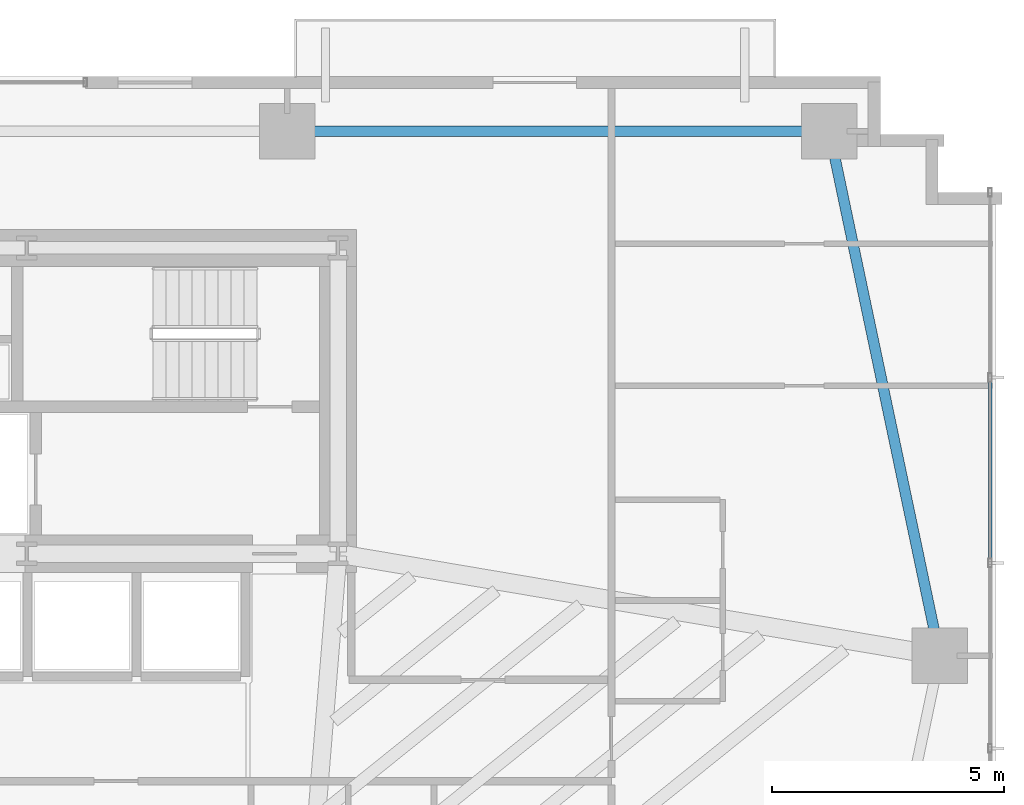
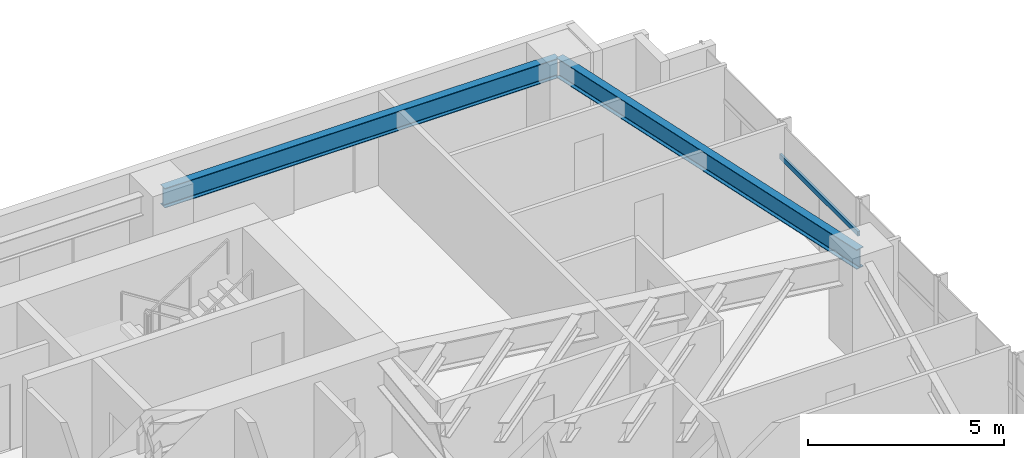
# One storey, part 16 of 25: 2 beams, 1 member, 1 element without a shape of its own.
"""IFC4 building model written with IfcOpenShell, lengths in metres."""

import ifcopenshell
import ifcopenshell.guid

model = None  # the IFC model being written
_history = None  # IfcOwnerHistory: only IFC2X3 demands one
_inside = {}  # id of a spatial element -> (the spatial element, [elements in it])
_under = {}  # id of a project, library or spatial element -> (it, [spatial elements below it])
_declared = {}  # id of a project -> (the project, [libraries it declares])
_typed = {}  # id of a type object -> (the type object, [elements of that type])
_made_of = {}  # id of a material, layer set ... -> (it, [elements and type objects made of it])


def new_model(schema):
    """Start an empty IFC model of exactly this schema.

    Asked for "IFC4X3", IfcOpenShell would pick the latest addendum, in which some entities
    have other attributes; the version numbers below select the first issue.
    IFC2X3 requires an IfcOwnerHistory on every rooted entity: one is made here for all.
    """
    global model, _history
    if schema == "IFC4X3":
        model = ifcopenshell.file(schema_version=(4, 3, 0, 0))
    else:
        model = ifcopenshell.file(schema=schema)
    _inside.clear()
    _under.clear()
    _declared.clear()
    _typed.clear()
    _made_of.clear()
    _history = None
    if model.schema == "IFC2X3":
        org = make("IfcOrganization", Name="unknown")
        user = make(
            "IfcPersonAndOrganization",
            ThePerson=make("IfcPerson", FamilyName="unknown"),
            TheOrganization=org,
        )
        app = make(
            "IfcApplication",
            ApplicationDeveloper=org,
            Version="unknown",
            ApplicationFullName="unknown",
            ApplicationIdentifier="unknown",
        )
        _history = make(
            "IfcOwnerHistory",
            OwningUser=user,
            OwningApplication=app,
            ChangeAction="ADDED",
            CreationDate=0,
        )
    return model


def make(cls, **values):
    """One entity of the class cls with the attributes given. An attribute that is None is left unset."""
    return model.create_entity(
        cls, **{name: value for name, value in values.items() if value is not None}
    )


def rooted(cls, **values):
    """An entity with a GlobalId (a new one), such as an element, a storey or a relation."""
    return make(cls, GlobalId=ifcopenshell.guid.new(), OwnerHistory=_history, **values)


def si_unit(unit_type, name, prefix=None):
    """IfcSIUnit, for example si_unit("LENGTHUNIT", "METRE", prefix="MILLI")."""
    return make("IfcSIUnit", UnitType=unit_type, Prefix=prefix, Name=name)


def assignment(units):
    """IfcUnitAssignment: the units of a project."""
    return None if units is None else make("IfcUnitAssignment", Units=units)


def point(xyz):
    """IfcCartesianPoint."""
    return None if xyz is None else make("IfcCartesianPoint", Coordinates=xyz)


def direction(xyz):
    """IfcDirection."""
    return None if xyz is None else make("IfcDirection", DirectionRatios=xyz)


def frame(location, z_axis=None, x_axis=None):
    """IfcAxis2Placement3D, a coordinate frame: its origin and axes. An axis left out is left unset."""
    return make(
        "IfcAxis2Placement3D",
        Location=point(location),
        Axis=direction(z_axis),
        RefDirection=direction(x_axis),
    )


def frame_2d(location, x_axis=None):
    """IfcAxis2Placement2D, a coordinate frame in the plane: its origin and x axis."""
    return make(
        "IfcAxis2Placement2D", Location=point(location), RefDirection=direction(x_axis)
    )


def origin():
    """The frame at (0, 0, 0) with its axes left unset."""
    return frame((0.0, 0.0, 0.0))


def origin_2d():
    """The frame at (0, 0) in the plane with its x axis left unset."""
    return frame_2d((0.0, 0.0))


def place(relative_to, where):
    """IfcLocalPlacement: puts the frame where relative to a parent placement (None: the world)."""
    return make(
        "IfcLocalPlacement", PlacementRelTo=relative_to, RelativePlacement=where
    )


def context(
    kind, dimensions, precision=None, world=None, true_north=None, identifier=None
):
    """IfcGeometricRepresentationContext, for example the 3D "Model" context."""
    return make(
        "IfcGeometricRepresentationContext",
        ContextIdentifier=identifier,
        ContextType=kind,
        CoordinateSpaceDimension=dimensions,
        Precision=precision,
        WorldCoordinateSystem=world,
        TrueNorth=true_north,
    )


def subcontext(parent, identifier, kind, view, scale=None):
    """IfcGeometricRepresentationSubContext, for example "Body" below "Model"."""
    return make(
        "IfcGeometricRepresentationSubContext",
        ContextIdentifier=identifier,
        ContextType=kind,
        ParentContext=parent,
        TargetScale=scale,
        TargetView=view,
    )


def project(units=None, contexts=None):
    """IfcProject with its units and contexts."""
    return rooted(
        "IfcProject",
        Name="project",
        RepresentationContexts=contexts,
        UnitsInContext=assignment(units),
    )


def spatial(cls, under=None, at=None, **own):
    """A site, building, storey or space (cls), placed at a placement, below another one or the project."""
    s = rooted(cls, ObjectPlacement=at, **own)
    if under is not None:
        _under.setdefault(under.id(), (under, []))[1].append(s)
    return s


def profile(cls, at=None, kind="AREA", **sizes):
    """A parametric profile (cls). Its sizes go by their IFC names, for example OverallWidth=200.0."""
    return make(cls, ProfileType=kind, Position=at, **sizes)


def hollow_rectangle(**sizes):
    """IfcRectangleHollowProfileDef."""
    return profile("IfcRectangleHollowProfileDef", **sizes)


def i_section(**sizes):
    """IfcIShapeProfileDef."""
    return profile("IfcIShapeProfileDef", **sizes)


def extrude(swept, where, along, depth):
    """IfcExtrudedAreaSolid: the profile swept, set in the frame where, extruded along a direction by depth."""
    return make(
        "IfcExtrudedAreaSolid",
        SweptArea=swept,
        Position=where,
        ExtrudedDirection=direction(along),
        Depth=depth,
    )


def shape(context_of_items, identifier, shape_type, items):
    """IfcShapeRepresentation: the items that make up one representation, for example the "Body"."""
    return make(
        "IfcShapeRepresentation",
        ContextOfItems=context_of_items,
        RepresentationIdentifier=identifier,
        RepresentationType=shape_type,
        Items=items,
    )


def source(mapping_origin, context_of_items, identifier, shape_type, items):
    """IfcRepresentationMap: a shape defined once, which mapped items show again and again."""
    return make(
        "IfcRepresentationMap",
        MappingOrigin=mapping_origin,
        MappedRepresentation=shape(context_of_items, identifier, shape_type, items),
    )


def transform(
    local_origin,
    x_axis=None,
    y_axis=None,
    z_axis=None,
    scale=None,
    scale2=None,
    scale3=None,
    uniform=True,
):
    """IfcCartesianTransformationOperator3D, or its non-uniform kind. x_axis, y_axis, z_axis: its Axis1, 2, 3."""
    if uniform:
        return make(
            "IfcCartesianTransformationOperator3D",
            Axis1=direction(x_axis),
            Axis2=direction(y_axis),
            LocalOrigin=point(local_origin),
            Scale=scale,
            Axis3=direction(z_axis),
        )
    return make(
        "IfcCartesianTransformationOperator3DnonUniform",
        Axis1=direction(x_axis),
        Axis2=direction(y_axis),
        LocalOrigin=point(local_origin),
        Scale=scale,
        Axis3=direction(z_axis),
        Scale2=scale2,
        Scale3=scale3,
    )


def mapped(mapping_source, mapping_target):
    """IfcMappedItem: shows the shape of a source again, moved by a transform."""
    return make(
        "IfcMappedItem", MappingSource=mapping_source, MappingTarget=mapping_target
    )


def material(Name=None, Category=None):
    """IfcMaterial."""
    return make("IfcMaterial", Name=Name, Category=Category)


def material_profile(
    of_material, cross_section, Name=None, Category=None, Priority=None
):
    """IfcMaterialProfile: a cross section and its material."""
    return make(
        "IfcMaterialProfile",
        Name=Name,
        Material=of_material,
        Profile=cross_section,
        Priority=Priority,
        Category=Category,
    )


def profile_set(profiles, Name=None, composite=None):
    """IfcMaterialProfileSet."""
    return make(
        "IfcMaterialProfileSet",
        Name=Name,
        MaterialProfiles=profiles,
        CompositeProfile=composite,
    )


def made_of(thing, what):
    """Note that an element or type object is made of a material, layer set ...; save() writes the relation."""
    if what is not None:
        _made_of.setdefault(what.id(), (what, []))[1].append(thing)
    return thing


def type_object(cls, material=None, **own):
    """A type object (cls), such as IfcWallType, which elements share."""
    return made_of(rooted(cls, **own), material)


def type_shapes(of_type, sources):
    """Give a type object the sources (RepresentationMaps) that its elements show as mapped items."""
    of_type.RepresentationMaps = sources


def element(
    cls,
    number,
    at=None,
    inside=None,
    cuts=None,
    type_object=None,
    material=None,
    context=None,
    identifier="Body",
    shape_type=None,
    held_by="IfcProductDefinitionShape",
    body=None,
    shapes=None,
    **own,
):
    """One element of the class cls, such as IfcWall. Its Tag is "e" and its number.

    at: its placement. inside: the storey or other place that contains it. cuts: it is an
    opening in that element (IfcRelVoidsElement). A single representation is given by context,
    identifier, shape_type and body (its items); several are given by shapes. held_by: the class
    of the entity that holds the representations. save() writes the other relations.
    """
    e = rooted(cls, Tag="e%d" % number, ObjectPlacement=at, **own)
    if body is not None:
        shapes = [shape(context, identifier, shape_type, body)]
    if shapes is not None:
        e.Representation = make(held_by, Representations=shapes)
    if inside is not None:
        _inside.setdefault(inside.id(), (inside, []))[1].append(e)
    if cuts is not None:
        rooted(
            "IfcRelVoidsElement", RelatingBuildingElement=cuts, RelatedOpeningElement=e
        )
    if type_object is not None:
        _typed.setdefault(type_object.id(), (type_object, []))[1].append(e)
    return made_of(e, material)


def aggregate(whole, parts):
    """IfcRelAggregates: a whole, such as a stair, and the parts it consists of."""
    return rooted("IfcRelAggregates", RelatingObject=whole, RelatedObjects=parts)


def save(model, path):
    """Write the relations noted so far, then the file.

    IfcRelAggregates (storeys below a building ...), IfcRelContainedInSpatialStructure (elements
    in a storey), IfcRelDefinesByType, IfcRelAssociatesMaterial and IfcRelDeclares: one each for
    every whole, place, type object, material and project.
    """
    for whole, parts in _under.values():
        aggregate(whole, parts)
    for where, things in _inside.values():
        rooted(
            "IfcRelContainedInSpatialStructure",
            RelatedElements=things,
            RelatingStructure=where,
        )
    for kind, things in _typed.values():
        rooted("IfcRelDefinesByType", RelatedObjects=things, RelatingType=kind)
    for what, things in _made_of.values():
        rooted("IfcRelAssociatesMaterial", RelatedObjects=things, RelatingMaterial=what)
    for by, libraries in _declared.values():
        rooted("IfcRelDeclares", RelatingContext=by, RelatedDefinitions=libraries)
    model.write(path)


model = new_model("IFC4")

# Units and contexts
model_context = context("Model", 3, precision=1e-05, world=origin(), true_north=direction((0.0, 1.0)))
body_context = subcontext(model_context, "Body", "Model", "MODEL_VIEW")
ifc_project = project(units=[si_unit("LENGTHUNIT", "METRE"), si_unit("AREAUNIT", "SQUARE_METRE"), si_unit("VOLUMEUNIT", "CUBIC_METRE"), si_unit("PLANEANGLEUNIT", "RADIAN"), si_unit("MASSUNIT", "GRAM", prefix="KILO")], contexts=[model_context])

# Site, building, storey
site_placement = place(None, origin())
site = spatial("IfcSite", under=ifc_project, at=site_placement, CompositionType="ELEMENT")
building_placement = place(site_placement, origin())
building = spatial("IfcBuilding", under=site, at=building_placement, Name="Astriad Promenade Condominiums", CompositionType="ELEMENT")
storey_placement = place(building_placement, frame((0.0, 0.0, 32.60009765625)))
storey = spatial("IfcBuildingStorey", under=building, at=storey_placement, Name="L08", CompositionType="ELEMENT", Elevation=32.60009765625)

# Beams
ifc_material_1 = material(Name="Steel ASTM A992 Grade 50", Category="steel")
ifc_material_profile_1 = material_profile(ifc_material_1, i_section(OverallWidth=0.22900390625, OverallDepth=0.612060546875, WebThickness=0.011962890625, FlangeThickness=0.01953125, FilletRadius=0.017822265625, at=origin_2d()), Name="W24X84")
ifc_profile_set_1 = profile_set([ifc_material_profile_1], Name="Steel ASTM A992 Grade 50")
beam_type = type_object("IfcBeamType", Name="STEEL SPANDREL BEAM W24X84", PredefinedType="SPANDREL", material=ifc_profile_set_1)
shared_shape_1 = source(origin(), body_context, "Body", "SweptSolid", [
    extrude(i_section(OverallWidth=0.22900390625, OverallDepth=0.612060546875, WebThickness=0.011962890625, FlangeThickness=0.01953125, FilletRadius=0.017822265625, at=origin_2d()), origin(), (0.0, 0.0, 1.0), 11.619873046875),
])
beam_1_placement = place(storey_placement, frame((56.159912109375, 26.52001953125, 2.6337890625), z_axis=(-1.0, 0.0, 0.0), x_axis=(0.0, -1.0, 0.0)))
element("IfcBeam", 1, at=beam_1_placement, inside=storey, type_object=beam_type, Name="Perimeter Spandrel Beam SP-N4-L08", PredefinedType="SPANDREL", context=body_context, shape_type="MappedRepresentation", body=[
    mapped(shared_shape_1, transform((0.0, 0.0, 0.0), scale=1.0)),
])
shared_shape_2 = source(origin(), body_context, "Body", "SweptSolid", [
    extrude(i_section(OverallWidth=0.22900390625, OverallDepth=0.612060546875, WebThickness=0.011962890625, FlangeThickness=0.01953125, FilletRadius=0.017822265625, at=origin_2d()), origin(), (0.0, 0.0, 1.0), 11.48779296875),
])
type_shapes(beam_type, [shared_shape_1, shared_shape_2])
beam_2_placement = place(storey_placement, frame((58.57177734375, 15.239013671875, 2.6337890625), z_axis=(-0.205743776427, 0.978605895374, 0.0), x_axis=(-0.978605895374, -0.205743776427, 0.0)))
element("IfcBeam", 2, at=beam_2_placement, inside=storey, type_object=beam_type, Name="Perimeter Spandrel Beam SP-E2-L08", PredefinedType="SPANDREL", context=body_context, shape_type="MappedRepresentation", body=[
    mapped(shared_shape_2, transform((0.0, 0.0, 0.0), scale=1.0)),
])

# Curtain wall, member
ifc_material_2 = material(Name="Anodised aluminium Black Dark Glass Unitised", Category="aluminium")
curtain_wall_type = type_object("IfcCurtainWallType", Name="CW-B1-DARK", PredefinedType="USERDEFINED", material=ifc_material_2)
curtain_wall_placement = place(storey_placement, origin())
curtain_wall = element("IfcCurtainWall", 3, at=curtain_wall_placement, inside=storey, type_object=curtain_wall_type, Name="CW-L08-E", ObjectType="UNITISED_CURTAIN_WALL", PredefinedType="USERDEFINED")
ifc_material_3 = material(Name="Anodised aluminium 6063-T6 Black", Category="aluminium")
ifc_material_profile_2 = material_profile(ifc_material_3, hollow_rectangle(XDim=0.074951171875, YDim=0.14990234375, WallThickness=0.004150390625, at=origin_2d()), Name="ALU-TRN-75X150")
ifc_profile_set_2 = profile_set([ifc_material_profile_2], Name="Anodised aluminium 6063-T6 Black")
member_type = type_object("IfcMemberType", Name="TRN-ALU-TRN-75X150", PredefinedType="USERDEFINED", material=ifc_profile_set_2)
shared_shape_3 = source(origin(), body_context, "Body", "SweptSolid", [
    extrude(hollow_rectangle(XDim=0.074951171875, YDim=0.14990234375, WallThickness=0.004150390625, at=origin_2d()), origin(), (0.0, 0.0, 1.0), 4.0),
])
type_shapes(member_type, [shared_shape_3])
member_placement = place(storey_placement, frame((59.669921875, 21.199951171875, 1.82275390625), z_axis=(0.0, -1.0, 0.0), x_axis=(1.0, 0.0, 0.0)))
member = element("IfcMember", 4, at=member_placement, type_object=member_type, Name="CW-L08-E-TRN-01-0", ObjectType="TRANSOM", PredefinedType="USERDEFINED", context=body_context, shape_type="MappedRepresentation", body=[
    mapped(shared_shape_3, transform((0.0, 0.0, 0.0), scale=1.0)),
])
aggregate(curtain_wall, [member])

save(model, "model.ifc")
